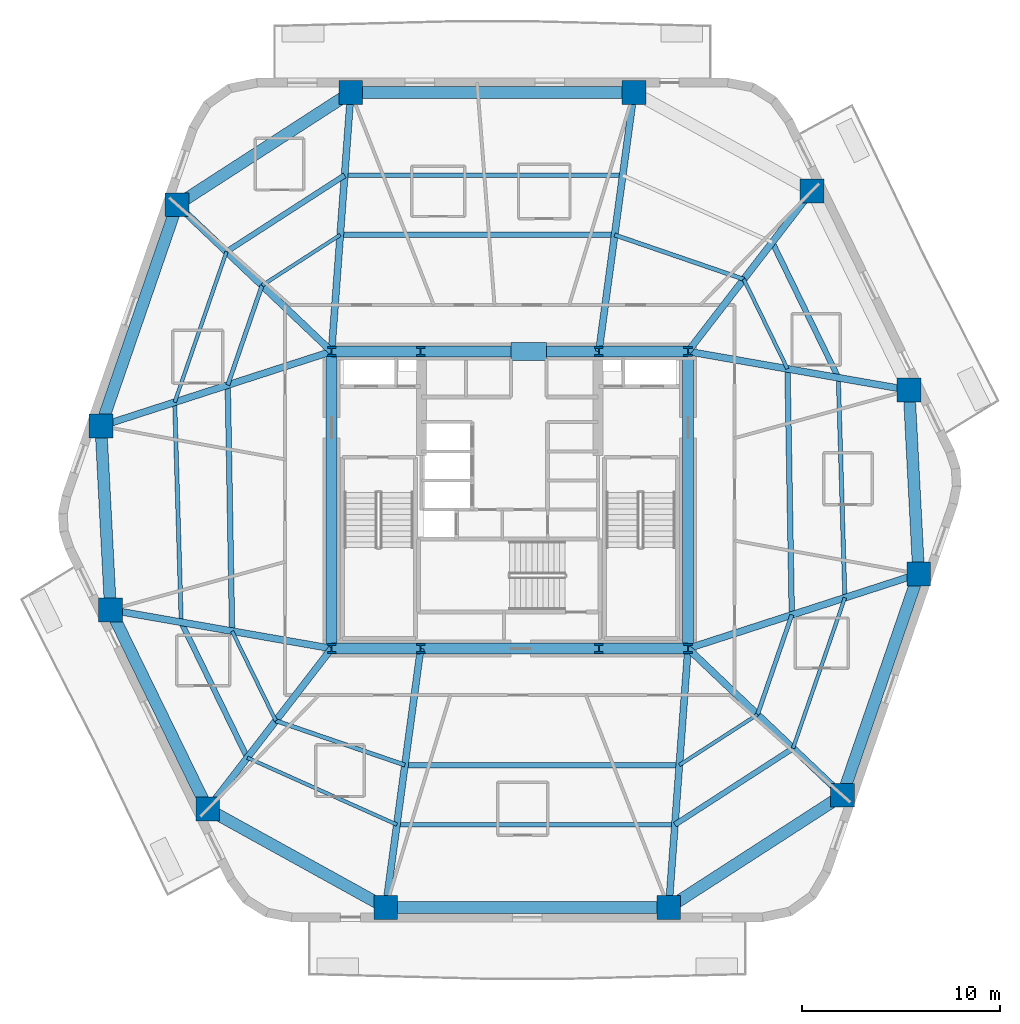
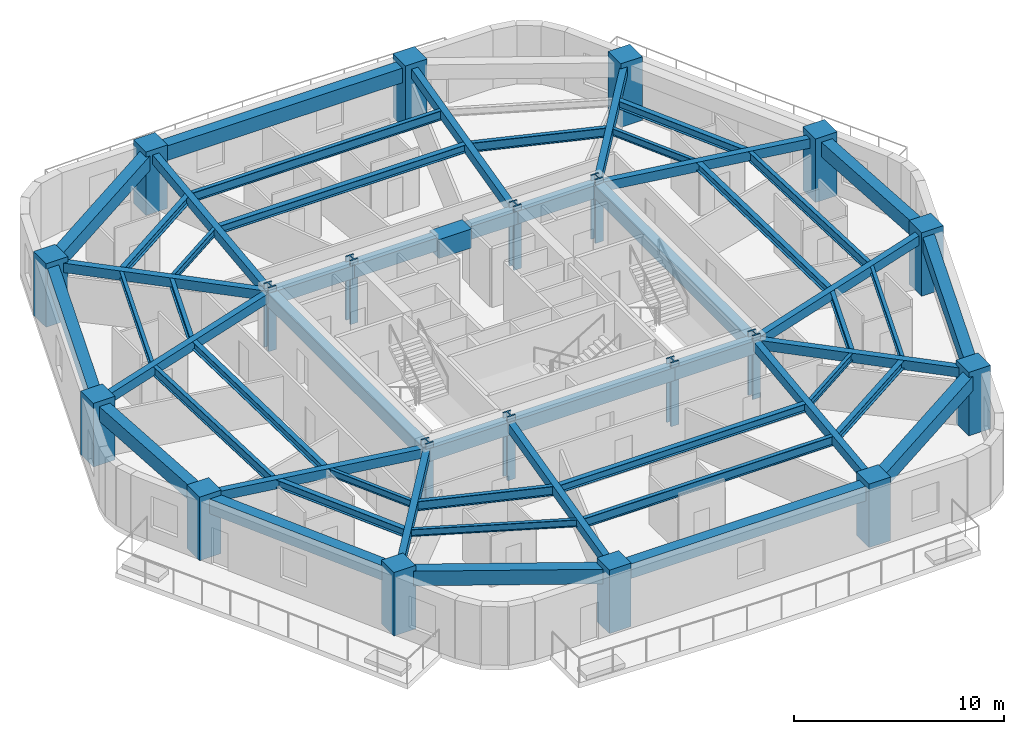
# One storey, part 1 of 9: 54 beams, 20 columns.
"""IFC4 building model written with IfcOpenShell, lengths in metres."""

from ifc_helpers import new_model, si_unit, direction, frame, origin, origin_2d, place, context, subcontext, project, spatial, rectangle, i_section, extrude, material, material_profile, profile_set, type_object, element, save


model = new_model("IFC4")

# Units and contexts
model_context = context("Model", 3, precision=1e-05, world=origin(), true_north=direction((0.0, 1.0)))
body_context = subcontext(model_context, "Body", "Model", "MODEL_VIEW")
ifc_project = project(units=[si_unit("LENGTHUNIT", "METRE"), si_unit("AREAUNIT", "SQUARE_METRE"), si_unit("VOLUMEUNIT", "CUBIC_METRE"), si_unit("PLANEANGLEUNIT", "RADIAN"), si_unit("MASSUNIT", "GRAM", prefix="KILO")], contexts=[model_context])

# Site, building, storey
site_placement = place(None, origin())
site = spatial("IfcSite", under=ifc_project, at=site_placement, CompositionType="ELEMENT")
building_placement = place(site_placement, origin())
building = spatial("IfcBuilding", under=site, at=building_placement, Name="Kilnhurst Terrace Hotel", CompositionType="ELEMENT")
storey_placement = place(building_placement, frame((0.0, 0.0, 124.699951171875)))
storey = spatial("IfcBuildingStorey", under=building, at=storey_placement, Name="L30", CompositionType="ELEMENT", Elevation=124.699951171875)

# Columns
ifc_material_1 = material(Name="Concrete C80/95", Category="concrete")
ifc_material_profile_1 = material_profile(ifc_material_1, rectangle(XDim=1.199951171875, YDim=1.199951171875, at=origin_2d()), Name="RC1200X1200")
ifc_profile_set_1 = profile_set([ifc_material_profile_1], Name="Concrete C80/95")
column_type_1 = type_object("IfcColumnType", Name="COL-RC-1200", PredefinedType="COLUMN", material=ifc_profile_set_1)
for number, where, z_axis, x_axis, name in (
    (1, (-6.26806640625, -20.580078125, 0.0), (0.0, 0.0, 1.0), (1.0, 0.0, 0.0), "L30 Structural Column PC-F11"),
    (2, (8.028076171875, -20.580078125, 0.0), (0.0, 0.0, 1.0), (1.0, 0.0, 0.0), "L30 Structural Column PC-F12"),
    (3, (16.800048828125, -14.910888671875, 0.0), (0.0, 0.0, 1.0), (1.0, 0.0, 0.0), "L30 Structural Column PC-F21"),
    (4, (20.64990234375, -3.73095703125, 0.0), (0.0, 0.0, 1.0), (1.0, 0.0, 0.0), "L30 Structural Column PC-F22"),
    (5, (20.1640625, 5.549072265625, 0.0), (0.0, 0.0, 1.0), (1.0, 0.0, 0.0), "L30 Structural Column PC-F31"),
    (6, (15.257080078125, 15.60888671875, 0.0), (0.0, 0.0, 1.0), (1.0, 0.0, 0.0), "L30 Structural Column PC-F32"),
    (7, (6.26806640625, 20.580078125, 0.0), (0.0, 0.0, 1.0), (1.0, 0.0, 0.0), "L30 Structural Column PC-F41"),
    (8, (-8.028076171875, 20.580078125, 0.0), (0.0, 0.0, 1.0), (1.0, 0.0, 0.0), "L30 Structural Column PC-F42"),
    (9, (-16.800048828125, 14.910888671875, 0.0), (0.0, 0.0, 1.0), (1.0, 0.0, 0.0), "L30 Structural Column PC-F51"),
    (10, (-20.64990234375, 3.73095703125, 0.0), (0.0, 0.0, 1.0), (1.0, 0.0, 0.0), "L30 Structural Column PC-F52"),
    (11, (-20.1640625, -5.549072265625, 0.0), (0.0, 0.0, 1.0), (1.0, 0.0, 0.0), "L30 Structural Column PC-F61"),
    (12, (-15.257080078125, -15.60888671875, 0.0), (0.0, 0.0, 1.0), (1.0, 0.0, 0.0), "L30 Structural Column PC-F62"),
):
    element("IfcColumn", number, at=place(storey_placement, frame(where, z_axis=z_axis, x_axis=x_axis)), inside=storey, type_object=column_type_1, Name=name, PredefinedType="COLUMN", context=body_context, shape_type="SweptSolid", body=[
        extrude(rectangle(XDim=1.199951171875, YDim=1.199951171875, at=origin_2d()), origin(), (0.0, 0.0, 1.0), 3.699951171875),
    ])
ifc_material_2 = material(Name="Steel ASTM A992 Grade 50", Category="steel")
ifc_material_profile_2 = material_profile(ifc_material_2, i_section(OverallWidth=0.43212890625, OverallDepth=0.497802734375, WebThickness=0.0556640625, FlangeThickness=0.0888671875, at=origin_2d()), Name="W14X500")
ifc_profile_set_2 = profile_set([ifc_material_profile_2], Name="Steel ASTM A992 Grade 50")
column_type_2 = type_object("IfcColumnType", Name="COL-STL-W14X500", PredefinedType="COLUMN", material=ifc_profile_set_2)
for number, where, z_axis, x_axis, name in (
    (13, (-9.0, -7.5, 0.0), (0.0, 0.0, 1.0), (1.0, 0.0, 0.0), "L30 Structural Column CC-SW"),
    (14, (-4.5, -7.5, 0.0), (0.0, 0.0, 1.0), (1.0, 0.0, 0.0), "L30 Structural Column CC-SC1"),
    (15, (4.5, -7.5, 0.0), (0.0, 0.0, 1.0), (1.0, 0.0, 0.0), "L30 Structural Column CC-SC2"),
    (16, (9.0, -7.5, 0.0), (0.0, 0.0, 1.0), (1.0, 0.0, 0.0), "L30 Structural Column CC-SE"),
    (17, (9.0, 7.5, 0.0), (0.0, 0.0, 1.0), (1.0, 0.0, 0.0), "L30 Structural Column CC-NE"),
    (18, (4.5, 7.5, 0.0), (0.0, 0.0, 1.0), (1.0, 0.0, 0.0), "L30 Structural Column CC-NC2"),
    (19, (-4.5, 7.5, 0.0), (0.0, 0.0, 1.0), (1.0, 0.0, 0.0), "L30 Structural Column CC-NC1"),
    (20, (-9.0, 7.5, 0.0), (0.0, 0.0, 1.0), (1.0, 0.0, 0.0), "L30 Structural Column CC-NW"),
):
    element("IfcColumn", number, at=place(storey_placement, frame(where, z_axis=z_axis, x_axis=x_axis)), inside=storey, type_object=column_type_2, Name=name, PredefinedType="COLUMN", context=body_context, shape_type="SweptSolid", body=[
        extrude(i_section(OverallWidth=0.43212890625, OverallDepth=0.497802734375, WebThickness=0.0556640625, FlangeThickness=0.0888671875, at=origin_2d()), origin(), (0.0, 0.0, 1.0), 3.699951171875),
    ])

# Beams
ifc_material_3 = material(Name="Concrete C50/60", Category="concrete")
ifc_material_profile_3 = material_profile(ifc_material_3, rectangle(XDim=0.35009765625, YDim=0.550048828125, at=origin_2d()), Name="RC350X550")
ifc_profile_set_3 = profile_set([ifc_material_profile_3], Name="Concrete C50/60")
beam_type_1 = type_object("IfcBeamType", Name="BM-RAD-350X550", PredefinedType="BEAM", material=ifc_profile_set_3)
beam_1_placement = place(storey_placement, frame((-4.5, -7.5, 3.125), z_axis=(-0.133954226177, -0.990987520249, 0.0), x_axis=(0.990987520249, -0.133954226177, 0.0)))
element("IfcBeam", 21, at=beam_1_placement, inside=storey, type_object=beam_type_1, Name="L30 Radial Floor Beam 1", PredefinedType="BEAM", context=body_context, shape_type="SweptSolid", body=[
    extrude(rectangle(XDim=0.35009765625, YDim=0.550048828125, at=origin_2d()), origin(), (0.0, 0.0, 1.0), 13.198974609375),
])
beam_2_placement = place(storey_placement, frame((9.0, -7.5, 3.125), z_axis=(-0.074101371747, -0.997250714066, 0.0), x_axis=(0.997250714066, -0.074101371747, 0.0)))
element("IfcBeam", 22, at=beam_2_placement, inside=storey, type_object=beam_type_1, Name="L30 Radial Floor Beam 2", PredefinedType="BEAM", context=body_context, shape_type="SweptSolid", body=[
    extrude(rectangle(XDim=0.35009765625, YDim=0.550048828125, at=origin_2d()), origin(), (0.0, 0.0, 1.0), 13.1162109375),
])
beam_3_placement = place(storey_placement, frame((9.0, -7.5, 3.125), z_axis=(0.724960341586, -0.688790609059, 0.0), x_axis=(0.688790609059, 0.724960341586, 0.0)))
element("IfcBeam", 23, at=beam_3_placement, inside=storey, type_object=beam_type_1, Name="L30 Radial Floor Beam 3", PredefinedType="BEAM", context=body_context, shape_type="SweptSolid", body=[
    extrude(rectangle(XDim=0.35009765625, YDim=0.550048828125, at=origin_2d()), origin(), (0.0, 0.0, 1.0), 10.75927734375),
])
beam_4_placement = place(storey_placement, frame((9.0, -7.5, 3.125), z_axis=(0.951445549065, 0.307817100182, 0.0), x_axis=(-0.307817100182, 0.951445549065, 0.0)))
element("IfcBeam", 24, at=beam_4_placement, inside=storey, type_object=beam_type_1, Name="L30 Radial Floor Beam 4", PredefinedType="BEAM", context=body_context, shape_type="SweptSolid", body=[
    extrude(rectangle(XDim=0.35009765625, YDim=0.550048828125, at=origin_2d()), origin(), (0.0, 0.0, 1.0), 12.244384765625),
])
beam_5_placement = place(storey_placement, frame((9.0, 7.5, 3.125), z_axis=(0.985072137567, -0.172142045384, 0.0), x_axis=(0.172142045384, 0.985072137567, 0.0)))
element("IfcBeam", 25, at=beam_5_placement, inside=storey, type_object=beam_type_1, Name="L30 Radial Floor Beam 5", PredefinedType="BEAM", context=body_context, shape_type="SweptSolid", body=[
    extrude(rectangle(XDim=0.35009765625, YDim=0.550048828125, at=origin_2d()), origin(), (0.0, 0.0, 1.0), 11.333251953125),
])
beam_6_placement = place(storey_placement, frame((9.0, 7.5, 3.125), z_axis=(0.610904638371, 0.79170418896, 0.0), x_axis=(-0.79170418896, 0.610904638371, 0.0)))
element("IfcBeam", 26, at=beam_6_placement, inside=storey, type_object=beam_type_1, Name="L30 Radial Floor Beam 6", PredefinedType="BEAM", context=body_context, shape_type="SweptSolid", body=[
    extrude(rectangle(XDim=0.35009765625, YDim=0.550048828125, at=origin_2d()), origin(), (0.0, 0.0, 1.0), 10.242431640625),
])
beam_7_placement = place(storey_placement, frame((4.5, 7.5, 3.125), z_axis=(0.133954226177, 0.990987520249, 0.0), x_axis=(-0.990987520249, 0.133954226177, 0.0)))
element("IfcBeam", 27, at=beam_7_placement, inside=storey, type_object=beam_type_1, Name="L30 Radial Floor Beam 7", PredefinedType="BEAM", context=body_context, shape_type="SweptSolid", body=[
    extrude(rectangle(XDim=0.35009765625, YDim=0.550048828125, at=origin_2d()), origin(), (0.0, 0.0, 1.0), 13.198974609375),
])
beam_8_placement = place(storey_placement, frame((-9.0, 7.5, 3.125), z_axis=(0.074101371747, 0.997250714066, 0.0), x_axis=(-0.997250714066, 0.074101371747, 0.0)))
element("IfcBeam", 28, at=beam_8_placement, inside=storey, type_object=beam_type_1, Name="L30 Radial Floor Beam 8", PredefinedType="BEAM", context=body_context, shape_type="SweptSolid", body=[
    extrude(rectangle(XDim=0.35009765625, YDim=0.550048828125, at=origin_2d()), origin(), (0.0, 0.0, 1.0), 13.1162109375),
])
beam_9_placement = place(storey_placement, frame((-9.0, 7.5, 3.125), z_axis=(-0.724960341586, 0.688790609059, 0.0), x_axis=(-0.688790609059, -0.724960341586, 0.0)))
element("IfcBeam", 29, at=beam_9_placement, inside=storey, type_object=beam_type_1, Name="L30 Radial Floor Beam 9", PredefinedType="BEAM", context=body_context, shape_type="SweptSolid", body=[
    extrude(rectangle(XDim=0.35009765625, YDim=0.550048828125, at=origin_2d()), origin(), (0.0, 0.0, 1.0), 10.75927734375),
])
beam_10_placement = place(storey_placement, frame((-9.0, 7.5, 3.125), z_axis=(-0.951445549065, -0.307817100182, 0.0), x_axis=(0.307817100182, -0.951445549065, 0.0)))
element("IfcBeam", 30, at=beam_10_placement, inside=storey, type_object=beam_type_1, Name="L30 Radial Floor Beam 10", PredefinedType="BEAM", context=body_context, shape_type="SweptSolid", body=[
    extrude(rectangle(XDim=0.35009765625, YDim=0.550048828125, at=origin_2d()), origin(), (0.0, 0.0, 1.0), 12.244384765625),
])
beam_11_placement = place(storey_placement, frame((-9.0, -7.5, 3.125), z_axis=(-0.985072137567, 0.172142045384, 0.0), x_axis=(-0.172142045384, -0.985072137567, 0.0)))
element("IfcBeam", 31, at=beam_11_placement, inside=storey, type_object=beam_type_1, Name="L30 Radial Floor Beam 11", PredefinedType="BEAM", context=body_context, shape_type="SweptSolid", body=[
    extrude(rectangle(XDim=0.35009765625, YDim=0.550048828125, at=origin_2d()), origin(), (0.0, 0.0, 1.0), 11.333251953125),
])
beam_12_placement = place(storey_placement, frame((-9.0, -7.5, 3.125), z_axis=(-0.610904638371, -0.79170418896, 0.0), x_axis=(0.79170418896, -0.610904638371, 0.0)))
element("IfcBeam", 32, at=beam_12_placement, inside=storey, type_object=beam_type_1, Name="L30 Radial Floor Beam 12", PredefinedType="BEAM", context=body_context, shape_type="SweptSolid", body=[
    extrude(rectangle(XDim=0.35009765625, YDim=0.550048828125, at=origin_2d()), origin(), (0.0, 0.0, 1.0), 10.242431640625),
])
ifc_material_profile_4 = material_profile(ifc_material_3, rectangle(XDim=0.550048828125, YDim=0.75, at=origin_2d()), Name="RC550X750")
ifc_profile_set_4 = profile_set([ifc_material_profile_4], Name="Concrete C50/60")
beam_type_2 = type_object("IfcBeamType", Name="BM-SPN-550X750", PredefinedType="SPANDREL", material=ifc_profile_set_4)
beam_13_placement = place(storey_placement, frame((-9.0, 7.5, 3.025146484375), z_axis=(1.0, 0.0, 0.0), x_axis=(0.0, 1.0, 0.0)))
element("IfcBeam", 33, at=beam_13_placement, inside=storey, type_object=beam_type_2, Name="L30 Core Tie Beam CC-NW to CC-NC1", PredefinedType="SPANDREL", context=body_context, shape_type="SweptSolid", body=[
    extrude(rectangle(XDim=0.550048828125, YDim=0.75, at=origin_2d()), origin(), (0.0, 0.0, 1.0), 4.5),
])
beam_14_placement = place(storey_placement, frame((-4.5, 7.5, 3.025146484375), z_axis=(1.0, 0.0, 0.0), x_axis=(0.0, 1.0, 0.0)))
element("IfcBeam", 34, at=beam_14_placement, inside=storey, type_object=beam_type_2, Name="L30 Core Tie Beam CC-NC1 to CC-NC2", PredefinedType="SPANDREL", context=body_context, shape_type="SweptSolid", body=[
    extrude(rectangle(XDim=0.550048828125, YDim=0.75, at=origin_2d()), origin(), (0.0, 0.0, 1.0), 9.0),
])
for number, where, z_axis, x_axis, name in (
    (35, (4.5, 7.5, 3.025146484375), (1.0, 0.0, 0.0), (0.0, 1.0, 0.0), "L30 Core Tie Beam CC-NC2 to CC-NE"),
    (36, (-9.0, -7.5, 3.025146484375), (1.0, 0.0, 0.0), (0.0, 1.0, 0.0), "L30 Core Tie Beam CC-SW to CC-SC1"),
):
    element("IfcBeam", number, at=place(storey_placement, frame(where, z_axis=z_axis, x_axis=x_axis)), inside=storey, type_object=beam_type_2, Name=name, PredefinedType="SPANDREL", context=body_context, shape_type="SweptSolid", body=[
        extrude(rectangle(XDim=0.550048828125, YDim=0.75, at=origin_2d()), origin(), (0.0, 0.0, 1.0), 4.5),
    ])
beam_15_placement = place(storey_placement, frame((-4.5, -7.5, 3.025146484375), z_axis=(1.0, 0.0, 0.0), x_axis=(0.0, 1.0, 0.0)))
element("IfcBeam", 37, at=beam_15_placement, inside=storey, type_object=beam_type_2, Name="L30 Core Tie Beam CC-SC1 to CC-SC2", PredefinedType="SPANDREL", context=body_context, shape_type="SweptSolid", body=[
    extrude(rectangle(XDim=0.550048828125, YDim=0.75, at=origin_2d()), origin(), (0.0, 0.0, 1.0), 9.0),
])
beam_16_placement = place(storey_placement, frame((4.5, -7.5, 3.025146484375), z_axis=(1.0, 0.0, 0.0), x_axis=(0.0, 1.0, 0.0)))
element("IfcBeam", 38, at=beam_16_placement, inside=storey, type_object=beam_type_2, Name="L30 Core Tie Beam CC-SC2 to CC-SE", PredefinedType="SPANDREL", context=body_context, shape_type="SweptSolid", body=[
    extrude(rectangle(XDim=0.550048828125, YDim=0.75, at=origin_2d()), origin(), (0.0, 0.0, 1.0), 4.5),
])
for number, where, z_axis, x_axis, name in (
    (39, (-9.0, -7.5, 3.025146484375), (0.0, 1.0, 0.0), (-1.0, 0.0, 0.0), "L30 Core Tie Beam CC-SW to CC-NW"),
    (40, (9.0, -7.5, 3.025146484375), (0.0, 1.0, 0.0), (-1.0, 0.0, 0.0), "L30 Core Tie Beam CC-SE to CC-NE"),
):
    element("IfcBeam", number, at=place(storey_placement, frame(where, z_axis=z_axis, x_axis=x_axis)), inside=storey, type_object=beam_type_2, Name=name, PredefinedType="SPANDREL", context=body_context, shape_type="SweptSolid", body=[
        extrude(rectangle(XDim=0.550048828125, YDim=0.75, at=origin_2d()), origin(), (0.0, 0.0, 1.0), 15.0),
    ])
ifc_material_profile_5 = material_profile(ifc_material_3, rectangle(XDim=0.60009765625, YDim=0.85009765625, at=origin_2d()), Name="RC600X850")
ifc_profile_set_5 = profile_set([ifc_material_profile_5], Name="Concrete C50/60")
beam_type_3 = type_object("IfcBeamType", Name="BM-SPN-600X850", PredefinedType="SPANDREL", material=ifc_profile_set_5)
beam_17_placement = place(storey_placement, frame((-6.26806640625, -20.580078125, 2.97509765625), z_axis=(1.0, 0.0, 0.0), x_axis=(0.0, 1.0, 0.0)))
element("IfcBeam", 41, at=beam_17_placement, inside=storey, type_object=beam_type_3, Name="L30 Perimeter Spandrel Beam 1", PredefinedType="SPANDREL", context=body_context, shape_type="SweptSolid", body=[
    extrude(rectangle(XDim=0.60009765625, YDim=0.85009765625, at=origin_2d()), origin(), (0.0, 0.0, 1.0), 14.296142578125),
])
beam_18_placement = place(storey_placement, frame((8.028076171875, -20.580078125, 2.97509765625), z_axis=(0.839866667472, 0.542792760517, 0.0), x_axis=(-0.542792760517, 0.839866667472, 0.0)))
element("IfcBeam", 42, at=beam_18_placement, inside=storey, type_object=beam_type_3, Name="L30 Perimeter Spandrel Beam 2", PredefinedType="SPANDREL", context=body_context, shape_type="SweptSolid", body=[
    extrude(rectangle(XDim=0.60009765625, YDim=0.85009765625, at=origin_2d()), origin(), (0.0, 0.0, 1.0), 10.444580078125),
])
beam_19_placement = place(storey_placement, frame((16.800048828125, -14.910888671875, 2.97509765625), z_axis=(0.325590408593, 0.945510912593, 0.0), x_axis=(-0.945510912593, 0.325590408593, 0.0)))
element("IfcBeam", 43, at=beam_19_placement, inside=storey, type_object=beam_type_3, Name="L30 Perimeter Spandrel Beam 3", PredefinedType="SPANDREL", context=body_context, shape_type="SweptSolid", body=[
    extrude(rectangle(XDim=0.60009765625, YDim=0.85009765625, at=origin_2d()), origin(), (0.0, 0.0, 1.0), 11.82421875),
])
beam_20_placement = place(storey_placement, frame((20.64990234375, -3.73095703125, 2.97509765625), z_axis=(-0.052281666706, 0.998632378469, 0.0), x_axis=(-0.998632378469, -0.052281666706, 0.0)))
element("IfcBeam", 44, at=beam_20_placement, inside=storey, type_object=beam_type_3, Name="L30 Perimeter Spandrel Beam 4", PredefinedType="SPANDREL", context=body_context, shape_type="SweptSolid", body=[
    extrude(rectangle(XDim=0.60009765625, YDim=0.85009765625, at=origin_2d()), origin(), (0.0, 0.0, 1.0), 9.292724609375),
])
beam_21_placement = place(storey_placement, frame((6.26806640625, 20.580078125, 2.97509765625), z_axis=(-1.0, 0.0, 0.0), x_axis=(0.0, -1.0, 0.0)))
element("IfcBeam", 45, at=beam_21_placement, inside=storey, type_object=beam_type_3, Name="L30 Perimeter Spandrel Beam 7", PredefinedType="SPANDREL", context=body_context, shape_type="SweptSolid", body=[
    extrude(rectangle(XDim=0.60009765625, YDim=0.85009765625, at=origin_2d()), origin(), (0.0, 0.0, 1.0), 14.296142578125),
])
beam_22_placement = place(storey_placement, frame((-8.028076171875, 20.580078125, 2.97509765625), z_axis=(-0.839866667472, -0.542792760517, 0.0), x_axis=(0.542792760517, -0.839866667472, 0.0)))
element("IfcBeam", 46, at=beam_22_placement, inside=storey, type_object=beam_type_3, Name="L30 Perimeter Spandrel Beam 8", PredefinedType="SPANDREL", context=body_context, shape_type="SweptSolid", body=[
    extrude(rectangle(XDim=0.60009765625, YDim=0.85009765625, at=origin_2d()), origin(), (0.0, 0.0, 1.0), 10.444580078125),
])
beam_23_placement = place(storey_placement, frame((-16.800048828125, 14.910888671875, 2.97509765625), z_axis=(-0.325590408593, -0.945510912593, 0.0), x_axis=(0.945510912593, -0.325590408593, 0.0)))
element("IfcBeam", 47, at=beam_23_placement, inside=storey, type_object=beam_type_3, Name="L30 Perimeter Spandrel Beam 9", PredefinedType="SPANDREL", context=body_context, shape_type="SweptSolid", body=[
    extrude(rectangle(XDim=0.60009765625, YDim=0.85009765625, at=origin_2d()), origin(), (0.0, 0.0, 1.0), 11.82421875),
])
beam_24_placement = place(storey_placement, frame((-20.64990234375, 3.73095703125, 2.97509765625), z_axis=(0.052281666706, -0.998632378469, 0.0), x_axis=(0.998632378469, 0.052281666706, 0.0)))
element("IfcBeam", 48, at=beam_24_placement, inside=storey, type_object=beam_type_3, Name="L30 Perimeter Spandrel Beam 10", PredefinedType="SPANDREL", context=body_context, shape_type="SweptSolid", body=[
    extrude(rectangle(XDim=0.60009765625, YDim=0.85009765625, at=origin_2d()), origin(), (0.0, 0.0, 1.0), 9.292724609375),
])
beam_25_placement = place(storey_placement, frame((-20.1640625, -5.549072265625, 2.97509765625), z_axis=(0.438406012271, -0.89877704043, 0.0), x_axis=(0.89877704043, 0.438406012271, 0.0)))
element("IfcBeam", 49, at=beam_25_placement, inside=storey, type_object=beam_type_3, Name="L30 Perimeter Spandrel Beam 11", PredefinedType="SPANDREL", context=body_context, shape_type="SweptSolid", body=[
    extrude(rectangle(XDim=0.60009765625, YDim=0.85009765625, at=origin_2d()), origin(), (0.0, 0.0, 1.0), 11.19287109375),
])
beam_26_placement = place(storey_placement, frame((-15.257080078125, -15.60888671875, 2.97509765625), z_axis=(0.875094010429, -0.483952965598, 0.0), x_axis=(0.483952965598, 0.875094010429, 0.0)))
element("IfcBeam", 50, at=beam_26_placement, inside=storey, type_object=beam_type_3, Name="L30 Perimeter Spandrel Beam 12", PredefinedType="SPANDREL", context=body_context, shape_type="SweptSolid", body=[
    extrude(rectangle(XDim=0.60009765625, YDim=0.85009765625, at=origin_2d()), origin(), (0.0, 0.0, 1.0), 10.27197265625),
])
ifc_material_profile_6 = material_profile(ifc_material_2, i_section(OverallWidth=0.180908203125, OverallDepth=0.417236328125, WebThickness=0.010986328125, FlangeThickness=0.018310546875, at=origin_2d()), Name="W16X57")
ifc_profile_set_6 = profile_set([ifc_material_profile_6], Name="Steel ASTM A992 Grade 50")
beam_type_4 = type_object("IfcBeamType", Name="JST-STL-W16X57", PredefinedType="JOIST", material=ifc_profile_set_6)
for number, where, z_axis, x_axis, name in (
    (51, (14.303955078125, -12.53955078125, 3.191162109375), (0.325612620381, 0.945503263584, 0.0), (-0.945503263584, 0.325612620381, 0.0), "L30 Secondary Floor Steel Joist OUT.3"),
    (52, (-14.303955078125, 12.53955078125, 3.191162109375), (-0.325612620381, -0.945503263584, 0.0), (0.945503263584, -0.325612620381, 0.0), "L30 Secondary Floor Steel Joist OUT.9"),
):
    element("IfcBeam", number, at=place(storey_placement, frame(where, z_axis=z_axis, x_axis=x_axis)), inside=storey, type_object=beam_type_4, Name=name, PredefinedType="JOIST", context=body_context, shape_type="SweptSolid", body=[
        extrude(i_section(OverallWidth=0.180908203125, OverallDepth=0.417236328125, WebThickness=0.010986328125, FlangeThickness=0.018310546875, at=origin_2d()), origin(), (0.0, 0.0, 1.0), 8.040771484375),
    ])
beam_27_placement = place(storey_placement, frame((-13.2548828125, -13.01416015625, 3.191162109375), z_axis=(0.912760935806, -0.408494154262, 0.0), x_axis=(0.408494154262, 0.912760935806, 0.0)))
element("IfcBeam", 53, at=beam_27_placement, inside=storey, type_object=beam_type_4, Name="L30 Secondary Floor Steel Joist OUT.12", PredefinedType="JOIST", context=body_context, shape_type="SweptSolid", body=[
    extrude(i_section(OverallWidth=0.180908203125, OverallDepth=0.417236328125, WebThickness=0.010986328125, FlangeThickness=0.018310546875, at=origin_2d()), origin(), (0.0, 0.0, 1.0), 8.274658203125),
])
beam_28_placement = place(storey_placement, frame((8.5625, -13.385986328125, 3.191162109375), z_axis=(0.839884974974, 0.542764432155, 0.0), x_axis=(-0.542764432155, 0.839884974974, 0.0)))
element("IfcBeam", 54, at=beam_28_placement, inside=storey, type_object=beam_type_4, Name="L30 Secondary Floor Steel Joist IN.2", PredefinedType="JOIST", context=body_context, shape_type="SweptSolid", body=[
    extrude(i_section(OverallWidth=0.180908203125, OverallDepth=0.417236328125, WebThickness=0.010986328125, FlangeThickness=0.018310546875, at=origin_2d()), origin(), (0.0, 0.0, 1.0), 4.699951171875),
])
beam_29_placement = place(storey_placement, frame((14.023681640625, 6.6220703125, 3.191162109375), z_axis=(-0.438389251087, 0.898785216017, 0.0), x_axis=(-0.898785216017, -0.438389251087, 0.0)))
element("IfcBeam", 55, at=beam_29_placement, inside=storey, type_object=beam_type_4, Name="L30 Secondary Floor Steel Joist IN.5", PredefinedType="JOIST", context=body_context, shape_type="SweptSolid", body=[
    extrude(i_section(OverallWidth=0.180908203125, OverallDepth=0.417236328125, WebThickness=0.010986328125, FlangeThickness=0.018310546875, at=origin_2d()), origin(), (0.0, 0.0, 1.0), 5.03662109375),
])
beam_30_placement = place(storey_placement, frame((-8.5625, 13.385986328125, 3.191162109375), z_axis=(-0.839884974974, -0.542764432155, 0.0), x_axis=(0.542764432155, -0.839884974974, 0.0)))
element("IfcBeam", 56, at=beam_30_placement, inside=storey, type_object=beam_type_4, Name="L30 Secondary Floor Steel Joist IN.8", PredefinedType="JOIST", context=body_context, shape_type="SweptSolid", body=[
    extrude(i_section(OverallWidth=0.180908203125, OverallDepth=0.417236328125, WebThickness=0.010986328125, FlangeThickness=0.018310546875, at=origin_2d()), origin(), (0.0, 0.0, 1.0), 4.699951171875),
])
beam_31_placement = place(storey_placement, frame((-14.023681640625, -6.6220703125, 3.191162109375), z_axis=(0.438389251087, -0.898785216017, 0.0), x_axis=(0.898785216017, 0.438389251087, 0.0)))
element("IfcBeam", 57, at=beam_31_placement, inside=storey, type_object=beam_type_4, Name="L30 Secondary Floor Steel Joist IN.11", PredefinedType="JOIST", context=body_context, shape_type="SweptSolid", body=[
    extrude(i_section(OverallWidth=0.180908203125, OverallDepth=0.417236328125, WebThickness=0.010986328125, FlangeThickness=0.018310546875, at=origin_2d()), origin(), (0.0, 0.0, 1.0), 5.03662109375),
])
ifc_material_profile_7 = material_profile(ifc_material_2, i_section(OverallWidth=0.279296875, OverallDepth=0.462890625, WebThickness=0.0107421875, FlangeThickness=0.017333984375, at=origin_2d()), Name="W18X76")
ifc_profile_set_7 = profile_set([ifc_material_profile_7], Name="Steel ASTM A992 Grade 50")
beam_type_5 = type_object("IfcBeamType", Name="JST-STL-W18X76", PredefinedType="JOIST", material=ifc_profile_set_7)
beam_32_placement = place(storey_placement, frame((8.339111328125, -16.394287109375, 3.16796875), z_axis=(0.839882675086, 0.542767991034, 0.0), x_axis=(-0.542767991034, 0.839882675086, 0.0)))
element("IfcBeam", 58, at=beam_32_placement, inside=storey, type_object=beam_type_5, Name="L30 Secondary Floor Steel Joist OUT.2", PredefinedType="JOIST", context=body_context, shape_type="SweptSolid", body=[
    extrude(i_section(OverallWidth=0.279296875, OverallDepth=0.462890625, WebThickness=0.0107421875, FlangeThickness=0.017333984375, at=origin_2d()), origin(), (0.0, 0.0, 1.0), 7.10205078125),
])
beam_33_placement = place(storey_placement, frame((16.591552734375, 6.17333984375, 3.16796875), z_axis=(-0.438390137084, 0.898784783865, 0.0), x_axis=(-0.898784783865, -0.438390137084, 0.0)))
element("IfcBeam", 59, at=beam_33_placement, inside=storey, type_object=beam_type_5, Name="L30 Secondary Floor Steel Joist OUT.5", PredefinedType="JOIST", context=body_context, shape_type="SweptSolid", body=[
    extrude(i_section(OverallWidth=0.279296875, OverallDepth=0.462890625, WebThickness=0.0107421875, FlangeThickness=0.017333984375, at=origin_2d()), origin(), (0.0, 0.0, 1.0), 7.611083984375),
])
beam_34_placement = place(storey_placement, frame((-8.339111328125, 16.394287109375, 3.16796875), z_axis=(-0.839882675086, -0.542767991034, 0.0), x_axis=(0.542767991034, -0.839882675086, 0.0)))
element("IfcBeam", 60, at=beam_34_placement, inside=storey, type_object=beam_type_5, Name="L30 Secondary Floor Steel Joist OUT.8", PredefinedType="JOIST", context=body_context, shape_type="SweptSolid", body=[
    extrude(i_section(OverallWidth=0.279296875, OverallDepth=0.462890625, WebThickness=0.0107421875, FlangeThickness=0.017333984375, at=origin_2d()), origin(), (0.0, 0.0, 1.0), 7.10205078125),
])
beam_35_placement = place(storey_placement, frame((-16.591552734375, -6.17333984375, 3.16796875), z_axis=(0.438390137084, -0.898784783865, 0.0), x_axis=(0.898784783865, 0.438390137084, 0.0)))
element("IfcBeam", 61, at=beam_35_placement, inside=storey, type_object=beam_type_5, Name="L30 Secondary Floor Steel Joist OUT.11", PredefinedType="JOIST", context=body_context, shape_type="SweptSolid", body=[
    extrude(i_section(OverallWidth=0.279296875, OverallDepth=0.462890625, WebThickness=0.0107421875, FlangeThickness=0.017333984375, at=origin_2d()), origin(), (0.0, 0.0, 1.0), 7.611083984375),
])
beam_36_placement = place(storey_placement, frame((-5.295654296875, -13.385986328125, 3.16796875), z_axis=(1.0, 0.0, 0.0), x_axis=(0.0, 1.0, 0.0)))
element("IfcBeam", 62, at=beam_36_placement, inside=storey, type_object=beam_type_5, Name="L30 Secondary Floor Steel Joist IN.1", PredefinedType="JOIST", context=body_context, shape_type="SweptSolid", body=[
    extrude(i_section(OverallWidth=0.279296875, OverallDepth=0.462890625, WebThickness=0.0107421875, FlangeThickness=0.017333984375, at=origin_2d()), origin(), (0.0, 0.0, 1.0), 13.858154296875),
])
beam_37_placement = place(storey_placement, frame((14.242431640625, -5.803955078125, 3.16796875), z_axis=(-0.017601453796, 0.999845082412, 0.0), x_axis=(-0.999845082412, -0.017601453796, 0.0)))
element("IfcBeam", 63, at=beam_37_placement, inside=storey, type_object=beam_type_5, Name="L30 Secondary Floor Steel Joist IN.4", PredefinedType="JOIST", context=body_context, shape_type="SweptSolid", body=[
    extrude(i_section(OverallWidth=0.279296875, OverallDepth=0.462890625, WebThickness=0.0107421875, FlangeThickness=0.017333984375, at=origin_2d()), origin(), (0.0, 0.0, 1.0), 12.427978515625),
])
beam_38_placement = place(storey_placement, frame((5.295654296875, 13.385986328125, 3.16796875), z_axis=(-1.0, 0.0, 0.0), x_axis=(0.0, -1.0, 0.0)))
element("IfcBeam", 64, at=beam_38_placement, inside=storey, type_object=beam_type_5, Name="L30 Secondary Floor Steel Joist IN.7", PredefinedType="JOIST", context=body_context, shape_type="SweptSolid", body=[
    extrude(i_section(OverallWidth=0.279296875, OverallDepth=0.462890625, WebThickness=0.0107421875, FlangeThickness=0.017333984375, at=origin_2d()), origin(), (0.0, 0.0, 1.0), 13.858154296875),
])
beam_39_placement = place(storey_placement, frame((-14.242431640625, 5.803955078125, 3.16796875), z_axis=(0.017601453796, -0.999845082412, 0.0), x_axis=(0.999845082412, 0.017601453796, 0.0)))
element("IfcBeam", 65, at=beam_39_placement, inside=storey, type_object=beam_type_5, Name="L30 Secondary Floor Steel Joist IN.10", PredefinedType="JOIST", context=body_context, shape_type="SweptSolid", body=[
    extrude(i_section(OverallWidth=0.279296875, OverallDepth=0.462890625, WebThickness=0.0107421875, FlangeThickness=0.017333984375, at=origin_2d()), origin(), (0.0, 0.0, 1.0), 12.427978515625),
])
ifc_material_profile_8 = material_profile(ifc_material_2, i_section(OverallWidth=0.2138671875, OverallDepth=0.549072265625, WebThickness=0.0146484375, FlangeThickness=0.023681640625, at=origin_2d()), Name="W21X93")
ifc_profile_set_8 = profile_set([ifc_material_profile_8], Name="Steel ASTM A992 Grade 50")
beam_type_6 = type_object("IfcBeamType", Name="JST-STL-W21X93", PredefinedType="JOIST", material=ifc_profile_set_8)
beam_40_placement = place(storey_placement, frame((-5.7021484375, -16.394287109375, 3.125), z_axis=(1.0, 0.0, 0.0), x_axis=(0.0, 1.0, 0.0)))
element("IfcBeam", 66, at=beam_40_placement, inside=storey, type_object=beam_type_6, Name="L30 Secondary Floor Steel Joist OUT.1", PredefinedType="JOIST", context=body_context, shape_type="SweptSolid", body=[
    extrude(i_section(OverallWidth=0.2138671875, OverallDepth=0.549072265625, WebThickness=0.0146484375, FlangeThickness=0.023681640625, at=origin_2d()), origin(), (0.0, 0.0, 1.0), 14.041259765625),
])
beam_41_placement = place(storey_placement, frame((16.922119140625, -4.93701171875, 3.125), z_axis=(-0.029739849895, 0.999557672837, 0.0), x_axis=(-0.999557672837, -0.029739849895, 0.0)))
element("IfcBeam", 67, at=beam_41_placement, inside=storey, type_object=beam_type_6, Name="L30 Secondary Floor Steel Joist OUT.4", PredefinedType="JOIST", context=body_context, shape_type="SweptSolid", body=[
    extrude(i_section(OverallWidth=0.2138671875, OverallDepth=0.549072265625, WebThickness=0.0146484375, FlangeThickness=0.023681640625, at=origin_2d()), origin(), (0.0, 0.0, 1.0), 11.115234375),
])
beam_42_placement = place(storey_placement, frame((5.7021484375, 16.394287109375, 3.125), z_axis=(-1.0, 0.0, 0.0), x_axis=(0.0, -1.0, 0.0)))
element("IfcBeam", 68, at=beam_42_placement, inside=storey, type_object=beam_type_6, Name="L30 Secondary Floor Steel Joist OUT.7", PredefinedType="JOIST", context=body_context, shape_type="SweptSolid", body=[
    extrude(i_section(OverallWidth=0.2138671875, OverallDepth=0.549072265625, WebThickness=0.0146484375, FlangeThickness=0.023681640625, at=origin_2d()), origin(), (0.0, 0.0, 1.0), 14.041259765625),
])
beam_43_placement = place(storey_placement, frame((-16.922119140625, 4.93701171875, 3.125), z_axis=(0.029739849895, -0.999557672837, 0.0), x_axis=(0.999557672837, 0.029739849895, 0.0)))
element("IfcBeam", 69, at=beam_43_placement, inside=storey, type_object=beam_type_6, Name="L30 Secondary Floor Steel Joist OUT.10", PredefinedType="JOIST", context=body_context, shape_type="SweptSolid", body=[
    extrude(i_section(OverallWidth=0.2138671875, OverallDepth=0.549072265625, WebThickness=0.0146484375, FlangeThickness=0.023681640625, at=origin_2d()), origin(), (0.0, 0.0, 1.0), 11.115234375),
])
beam_44_placement = place(storey_placement, frame((12.510009765625, -10.8349609375, 3.125), z_axis=(0.325586238877, 0.945512348441, 0.0), x_axis=(-0.945512348441, 0.325586238877, 0.0)))
element("IfcBeam", 70, at=beam_44_placement, inside=storey, type_object=beam_type_6, Name="L30 Secondary Floor Steel Joist IN.3", PredefinedType="JOIST", context=body_context, shape_type="SweptSolid", body=[
    extrude(i_section(OverallWidth=0.2138671875, OverallDepth=0.549072265625, WebThickness=0.0146484375, FlangeThickness=0.023681640625, at=origin_2d()), origin(), (0.0, 0.0, 1.0), 5.321044921875),
])
beam_45_placement = place(storey_placement, frame((11.815673828125, 11.14892578125, 3.125), z_axis=(-0.945873585837, 0.324535297949, 0.0), x_axis=(-0.324535297949, -0.945873585837, 0.0)))
element("IfcBeam", 71, at=beam_45_placement, inside=storey, type_object=beam_type_6, Name="L30 Secondary Floor Steel Joist IN.6", PredefinedType="JOIST", context=body_context, shape_type="SweptSolid", body=[
    extrude(i_section(OverallWidth=0.2138671875, OverallDepth=0.549072265625, WebThickness=0.0146484375, FlangeThickness=0.023681640625, at=origin_2d()), origin(), (0.0, 0.0, 1.0), 6.89306640625),
])
beam_46_placement = place(storey_placement, frame((-12.510009765625, 10.8349609375, 3.125), z_axis=(-0.325586238877, -0.945512348441, 0.0), x_axis=(0.945512348441, -0.325586238877, 0.0)))
element("IfcBeam", 72, at=beam_46_placement, inside=storey, type_object=beam_type_6, Name="L30 Secondary Floor Steel Joist IN.9", PredefinedType="JOIST", context=body_context, shape_type="SweptSolid", body=[
    extrude(i_section(OverallWidth=0.2138671875, OverallDepth=0.549072265625, WebThickness=0.0146484375, FlangeThickness=0.023681640625, at=origin_2d()), origin(), (0.0, 0.0, 1.0), 5.321044921875),
])
beam_47_placement = place(storey_placement, frame((-11.815673828125, -11.14892578125, 3.125), z_axis=(0.945873585837, -0.324535297949, 0.0), x_axis=(0.324535297949, 0.945873585837, 0.0)))
element("IfcBeam", 73, at=beam_47_placement, inside=storey, type_object=beam_type_6, Name="L30 Secondary Floor Steel Joist IN.12", PredefinedType="JOIST", context=body_context, shape_type="SweptSolid", body=[
    extrude(i_section(OverallWidth=0.2138671875, OverallDepth=0.549072265625, WebThickness=0.0146484375, FlangeThickness=0.023681640625, at=origin_2d()), origin(), (0.0, 0.0, 1.0), 6.89306640625),
])
ifc_material_profile_9 = material_profile(ifc_material_1, rectangle(XDim=0.89990234375, YDim=1.10009765625, at=origin_2d()), Name="RC900X1100")
ifc_profile_set_9 = profile_set([ifc_material_profile_9], Name="Concrete C80/95")
beam_type_7 = type_object("IfcBeamType", Name="LNT-CB-900X1100", PredefinedType="LINTEL", material=ifc_profile_set_9)
beam_48_placement = place(storey_placement, frame((0.050048828125, 7.5, 2.85009765625), z_axis=(1.0, 0.0, 0.0), x_axis=(0.0, 1.0, 0.0)))
element("IfcBeam", 74, at=beam_48_placement, inside=storey, type_object=beam_type_7, Name="L30 North Core Coupling Link Beam", PredefinedType="LINTEL", context=body_context, shape_type="SweptSolid", body=[
    extrude(rectangle(XDim=0.89990234375, YDim=1.10009765625, at=origin_2d()), origin(), (0.0, 0.0, 1.0), 1.800048828125),
])

save(model, "model.ifc")
